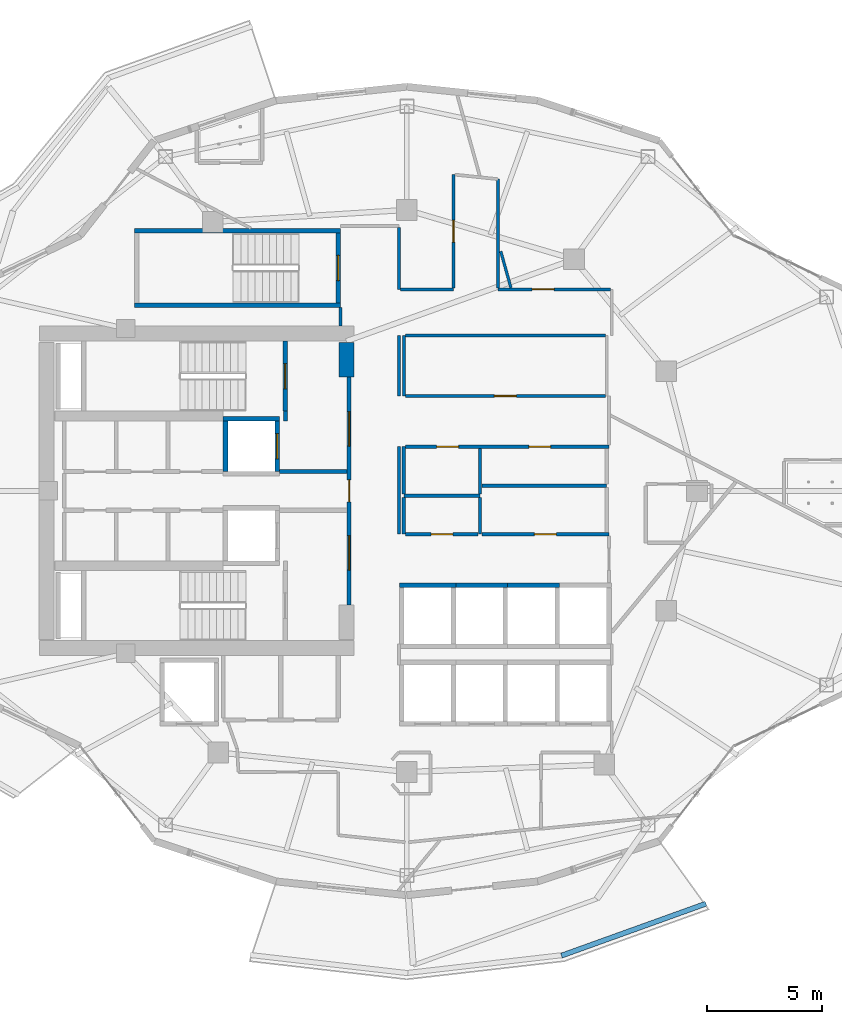
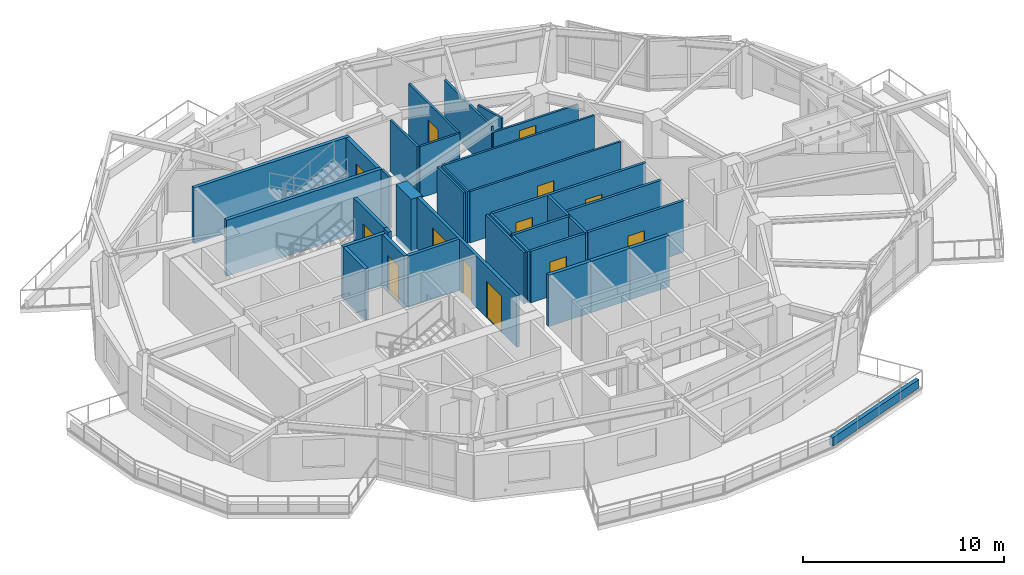
# One storey, part 10 of 19: 36 walls, 13 doors, 13 openings.
"""IFC4 building model written with IfcOpenShell, lengths in metres."""

from ifc_helpers import new_model, si_unit, direction, frame, frame_2d, origin, place, context, subcontext, project, spatial, rectangle, extrude, material, layer, layer_set, type_object, element, fill, save


model = new_model("IFC4")

# Units and contexts
model_context = context("Model", 3, precision=1e-05, world=origin(), true_north=direction((0.0, 1.0)))
body_context = subcontext(model_context, "Body", "Model", "MODEL_VIEW")
ifc_project = project(units=[si_unit("LENGTHUNIT", "METRE"), si_unit("AREAUNIT", "SQUARE_METRE"), si_unit("VOLUMEUNIT", "CUBIC_METRE"), si_unit("PLANEANGLEUNIT", "RADIAN"), si_unit("MASSUNIT", "GRAM", prefix="KILO")], contexts=[model_context])

# Site, building, storey
site_placement = place(None, origin())
site = spatial("IfcSite", under=ifc_project, at=site_placement, CompositionType="ELEMENT")
building_placement = place(site_placement, origin())
building = spatial("IfcBuilding", under=site, at=building_placement, Name="Kolvaren Gate Tower and Convention Centre", CompositionType="ELEMENT")
storey_placement = place(building_placement, frame((0.0, 0.0, 169.89990234375)))
storey = spatial("IfcBuildingStorey", under=building, at=storey_placement, Name="L44", CompositionType="ELEMENT", Elevation=169.89990234375)

# Wall
ifc_material_1 = material(Name="Autoclaved Aerated Masonry Blockwork Class 4 (4.0 MPa)", Category="masonry")
ifc_layer_1 = layer(ifc_material_1, 0.179931640625)
ifc_layer_set_1 = layer_set([ifc_layer_1], Name="Autoclaved Aerated Masonry Blockwork Class 4 (4.0 MPa)")
wall_type_1 = type_object("IfcWallType", Name="ARCH-WL-COMP-180", PredefinedType="SOLIDWALL", material=ifc_layer_set_1)
wall_1_placement = place(storey_placement, frame((24.85009765625, 30.0400390625, 0.0), z_axis=(0.0, 0.0, 1.0), x_axis=(0.0, 1.0, 0.0)))
element("IfcWall", 1, at=wall_1_placement, inside=storey, type_object=wall_type_1, Name="Interior Partition WL-L44-INT-002", PredefinedType="SOLIDWALL", context=body_context, shape_type="SweptSolid", body=[
    extrude(rectangle(XDim=0.419921875, YDim=0.179931640625, at=frame_2d((0.2099609375, 0.0))), origin(), (0.0, 0.0, 1.0), 3.130126953125),
])

# Wall, openings, doors
wall_2_placement = place(storey_placement, frame((27.6201171875, 22.050048828125, 0.0), z_axis=(0.0, 0.0, 1.0), x_axis=(0.0, 1.0, 0.0)))
wall_2 = element("IfcWall", 2, at=wall_2_placement, inside=storey, type_object=wall_type_1, Name="Interior Partition WL-L44-INT-003", PredefinedType="SOLIDWALL", context=body_context, shape_type="SweptSolid", body=[
    extrude(rectangle(XDim=9.89990234375, YDim=0.179931640625, at=frame_2d((4.949951171875, 0.0))), origin(), (0.0, 0.0, 1.0), 3.130126953125),
])
opening_1_placement = place(wall_2_placement, frame((4.47509765625, 0.0, 0.0)))
opening_1 = element("IfcOpeningElement", 3, at=opening_1_placement, cuts=wall_2, Name="Opening DR-01", PredefinedType="OPENING", context=body_context, shape_type="SweptSolid", body=[
    extrude(rectangle(XDim=0.949951171875, YDim=2.10009765625, at=frame_2d((0.47509765625, 1.050048828125))), frame((0.0, 0.099853515625, 0.0), z_axis=(0.0, -1.0, 0.0), x_axis=(1.0, 0.0, 0.0)), (0.0, 0.0, 1.0), 0.199951171875),
])
opening_2_placement = place(wall_2_placement, frame((6.889892578125, 0.0, 0.0)))
opening_2 = element("IfcOpeningElement", 4, at=opening_2_placement, cuts=wall_2, Name="Opening DL-01", PredefinedType="OPENING", context=body_context, shape_type="SweptSolid", body=[
    extrude(rectangle(XDim=1.5, YDim=2.199951171875, at=frame_2d((0.75, 1.10009765625))), frame((0.0, 0.099853515625, 0.0), z_axis=(0.0, -1.0, 0.0), x_axis=(1.0, 0.0, 0.0)), (0.0, 0.0, 1.0), 0.199951171875),
])
opening_3_placement = place(wall_2_placement, frame((1.510009765625, 0.0, 0.0)))
opening_3 = element("IfcOpeningElement", 5, at=opening_3_placement, cuts=wall_2, Name="Opening DL-01", PredefinedType="OPENING", context=body_context, shape_type="SweptSolid", body=[
    extrude(rectangle(XDim=1.5, YDim=2.199951171875, at=frame_2d((0.75, 1.10009765625))), frame((0.0, 0.099853515625, 0.0), z_axis=(0.0, -1.0, 0.0), x_axis=(1.0, 0.0, 0.0)), (0.0, 0.0, 1.0), 0.199951171875),
])
ifc_material_2 = material(Name="Painted Architectural Steelwork ASTM A500 Grade C 345 MPa", Category="steel")
door_type_1 = type_object("IfcDoorType", Name="ARCH-DR-LOBBY-1500", OperationType="DOUBLE_DOOR_SINGLE_SWING", PredefinedType="DOOR", material=ifc_material_2)
door_1_placement = place(opening_2_placement, origin())
door_1 = element("IfcDoor", 6, at=door_1_placement, inside=storey, type_object=door_type_1, Name="North Firefighting Stair and Lift Lobby Door", OperationType="DOUBLE_DOOR_SINGLE_SWING", OverallHeight=2.199951171875, OverallWidth=1.5, PredefinedType="DOOR", context=body_context, shape_type="SweptSolid", body=[
    extrude(rectangle(XDim=1.5, YDim=2.199951171875, at=frame_2d((0.75, 1.10009765625))), frame((0.0, 0.02490234375, 0.0), z_axis=(0.0, -1.0, 0.0), x_axis=(1.0, 0.0, 0.0)), (0.0, 0.0, 1.0), 0.050048828125),
])
fill(opening_2, door_1)
door_2_placement = place(opening_3_placement, origin())
door_2 = element("IfcDoor", 7, at=door_2_placement, inside=storey, type_object=door_type_1, Name="South Firefighting Stair and Lift Lobby Door", OperationType="DOUBLE_DOOR_SINGLE_SWING", OverallHeight=2.199951171875, OverallWidth=1.5, PredefinedType="DOOR", context=body_context, shape_type="SweptSolid", body=[
    extrude(rectangle(XDim=1.5, YDim=2.199951171875, at=frame_2d((0.75, 1.10009765625))), frame((0.0, 0.02490234375, 0.0), z_axis=(0.0, -1.0, 0.0), x_axis=(1.0, 0.0, 0.0)), (0.0, 0.0, 1.0), 0.050048828125),
])
fill(opening_3, door_2)
door_type_2 = type_object("IfcDoorType", Name="ARCH-DR-RISER-950", OperationType="SINGLE_SWING_RIGHT", PredefinedType="DOOR", material=ifc_material_2)
door_3_placement = place(opening_1_placement, origin())
door_3 = element("IfcDoor", 8, at=door_3_placement, inside=storey, type_object=door_type_2, Name="Central MEP Service Corridor Door", OperationType="SINGLE_SWING_LEFT", OverallHeight=2.10009765625, OverallWidth=0.949951171875, PredefinedType="DOOR", context=body_context, shape_type="SweptSolid", body=[
    extrude(rectangle(XDim=0.949951171875, YDim=2.10009765625, at=frame_2d((0.47509765625, 1.050048828125))), frame((0.0, 0.02490234375, 0.0), z_axis=(0.0, -1.0, 0.0), x_axis=(1.0, 0.0, 0.0)), (0.0, 0.0, 1.0), 0.050048828125),
])
fill(opening_1, door_3)

# Walls
wall_3_placement = place(storey_placement, frame((24.60009765625, 27.840087890625, 0.0), z_axis=(0.0, 0.0, 1.0), x_axis=(1.0, 0.0, 0.0)))
element("IfcWall", 9, at=wall_3_placement, inside=storey, type_object=wall_type_1, Name="Interior Partition WL-L44-INT-004 (2)", PredefinedType="SOLIDWALL", context=body_context, shape_type="SweptSolid", body=[
    extrude(rectangle(XDim=2.927978515625, YDim=0.179931640625, at=frame_2d((1.4638671875, 0.0))), origin(), (0.0, 0.0, 1.0), 3.130126953125),
])
ifc_material_3 = material(Name="Fire-Rated Acoustic Gypsum Stud Partition", Category="gypsum")
ifc_layer_2 = layer(ifc_material_3, 0.1201171875)
ifc_layer_set_2 = layer_set([ifc_layer_2], Name="Fire-Rated Acoustic Gypsum Stud Partition")
wall_type_2 = type_object("IfcWallType", Name="ARCH-WL-PART-120", PredefinedType="PARTITIONING", material=ifc_layer_set_2)
wall_4_placement = place(storey_placement, frame((30.0, 31.1201171875, 0.0), z_axis=(0.0, 0.0, 1.0), x_axis=(0.0, 1.0, 0.0)))
element("IfcWall", 10, at=wall_4_placement, inside=storey, type_object=wall_type_2, Name="Interior Partition WL-L44-INT-018", PredefinedType="PARTITIONING", context=body_context, shape_type="SweptSolid", body=[
    extrude(rectangle(XDim=2.6298828125, YDim=0.1201171875, at=frame_2d((1.31494140625, 0.0))), origin(), (0.0, 0.0, 1.0), 3.130126953125),
])

# Wall, opening, door
wall_5_placement = place(storey_placement, frame((30.06201171875, 31.1201171875, 0.0), z_axis=(0.0, 0.0, 1.0), x_axis=(1.0, 0.0, 0.0)))
wall_5 = element("IfcWall", 11, at=wall_5_placement, inside=storey, type_object=wall_type_2, Name="Interior Partition WL-L44-INT-025", PredefinedType="PARTITIONING", context=body_context, shape_type="SweptSolid", body=[
    extrude(rectangle(XDim=8.676025390625, YDim=0.1201171875, at=frame_2d((4.337890625, 0.0))), origin(), (0.0, 0.0, 1.0), 3.130126953125),
])
opening_4_placement = place(wall_5_placement, frame((3.863037109375, 0.0, 0.0)))
opening_4 = element("IfcOpeningElement", 12, at=opening_4_placement, cuts=wall_5, Name="Opening DR-01", PredefinedType="OPENING", context=body_context, shape_type="SweptSolid", body=[
    extrude(rectangle(XDim=0.949951171875, YDim=2.10009765625, at=frame_2d((0.47509765625, 1.050048828125))), frame((0.0, 0.070068359375, 0.0), z_axis=(0.0, -1.0, 0.0), x_axis=(1.0, 0.0, 0.0)), (0.0, 0.0, 1.0), 0.14013671875),
])
door_4_placement = place(opening_4_placement, origin())
door_4 = element("IfcDoor", 13, at=door_4_placement, inside=storey, type_object=door_type_2, Name="Botanical Reading Clubroom Door", OperationType="SINGLE_SWING_RIGHT", OverallHeight=2.10009765625, OverallWidth=0.949951171875, PredefinedType="DOOR", context=body_context, shape_type="SweptSolid", body=[
    extrude(rectangle(XDim=0.949951171875, YDim=2.10009765625, at=frame_2d((0.47509765625, 1.050048828125))), frame((0.0, 0.02490234375, 0.0), z_axis=(0.0, -1.0, 0.0), x_axis=(1.0, 0.0, 0.0)), (0.0, 0.0, 1.0), 0.050048828125),
])
fill(opening_4, door_4)

# Walls
wall_6_placement = place(storey_placement, frame((30.06201171875, 33.75, 0.0), z_axis=(0.0, 0.0, 1.0), x_axis=(1.0, 0.0, 0.0)))
element("IfcWall", 14, at=wall_6_placement, inside=storey, type_object=wall_type_2, Name="Interior Partition WL-L44-INT-026", PredefinedType="PARTITIONING", context=body_context, shape_type="SweptSolid", body=[
    extrude(rectangle(XDim=8.676025390625, YDim=0.1201171875, at=frame_2d((4.337890625, 0.0))), origin(), (0.0, 0.0, 1.0), 3.130126953125),
])
wall_7_placement = place(storey_placement, frame((27.25, 34.152099609375, 0.0), z_axis=(0.0, 0.0, 1.0), x_axis=(0.0, 1.0, 0.0)))
element("IfcWall", 15, at=wall_7_placement, inside=storey, type_object=wall_type_2, Name="Interior Partition WL-L44-INT-037", PredefinedType="PARTITIONING", context=body_context, shape_type="SweptSolid", body=[
    extrude(rectangle(XDim=0.805908203125, YDim=0.1201171875, at=frame_2d((0.40283203125, 0.0))), origin(), (0.0, 0.0, 1.0), 3.130126953125),
])
wall_8_placement = place(storey_placement, frame((29.780029296875, 25.1201171875, 0.0), z_axis=(0.0, 0.0, 1.0), x_axis=(0.0, 1.0, 0.0)))
element("IfcWall", 16, at=wall_8_placement, inside=storey, type_object=wall_type_2, Name="Interior Partition WL-L44-INT-040", PredefinedType="PARTITIONING", context=body_context, shape_type="SweptSolid", body=[
    extrude(rectangle(XDim=3.7998046875, YDim=0.1201171875, at=frame_2d((1.89990234375, 0.0))), origin(), (0.0, 0.0, 1.0), 3.130126953125),
])
wall_9_placement = place(storey_placement, frame((29.780029296875, 31.1201171875, 0.0), z_axis=(0.0, 0.0, 1.0), x_axis=(0.0, 1.0, 0.0)))
element("IfcWall", 17, at=wall_9_placement, inside=storey, type_object=wall_type_2, Name="Interior Partition WL-L44-INT-041", PredefinedType="PARTITIONING", context=body_context, shape_type="SweptSolid", body=[
    extrude(rectangle(XDim=2.6298828125, YDim=0.1201171875, at=frame_2d((1.31494140625, 0.0))), origin(), (0.0, 0.0, 1.0), 3.130126953125),
])
wall_10_placement = place(storey_placement, frame((29.780029296875, 35.75, 0.0), z_axis=(0.0, 0.0, 1.0), x_axis=(0.0, 1.0, 0.0)))
element("IfcWall", 18, at=wall_10_placement, inside=storey, type_object=wall_type_2, Name="Interior Partition WL-L44-INT-042", PredefinedType="PARTITIONING", context=body_context, shape_type="SweptSolid", body=[
    extrude(rectangle(XDim=2.68798828125, YDim=0.1201171875, at=frame_2d((1.343994140625, 0.0))), origin(), (0.0, 0.0, 1.0), 3.130126953125),
])
wall_11_placement = place(storey_placement, frame((29.842041015625, 35.75, 0.0), z_axis=(0.0, 0.0, 1.0), x_axis=(1.0, 0.0, 0.0)))
element("IfcWall", 19, at=wall_11_placement, inside=storey, type_object=wall_type_2, Name="Interior Partition WL-L44-INT-043", PredefinedType="PARTITIONING", context=body_context, shape_type="SweptSolid", body=[
    extrude(rectangle(XDim=2.307861328125, YDim=0.1201171875, at=frame_2d((1.15380859375, 0.0))), origin(), (0.0, 0.0, 1.0), 3.130126953125),
])

# Wall, opening, door
wall_12_placement = place(storey_placement, frame((34.080078125, 35.75, 0.0), z_axis=(0.0, 0.0, 1.0), x_axis=(1.0, 0.0, 0.0)))
wall_12 = element("IfcWall", 20, at=wall_12_placement, inside=storey, type_object=wall_type_2, Name="Interior Partition WL-L44-INT-044", PredefinedType="PARTITIONING", context=body_context, shape_type="SweptSolid", body=[
    extrude(rectangle(XDim=4.8779296875, YDim=0.1201171875, at=frame_2d((2.43896484375, 0.0))), origin(), (0.0, 0.0, 1.0), 2.505126953125),
])
opening_5_placement = place(wall_12_placement, frame((1.4853515625, 0.0, 0.0)))
opening_5 = element("IfcOpeningElement", 21, at=opening_5_placement, cuts=wall_12, Name="Opening DR-01", PredefinedType="OPENING", context=body_context, shape_type="SweptSolid", body=[
    extrude(rectangle(XDim=0.949951171875, YDim=2.10009765625, at=frame_2d((0.47509765625, 1.050048828125))), frame((0.0, 0.070068359375, 0.0), z_axis=(0.0, -1.0, 0.0), x_axis=(1.0, 0.0, 0.0)), (0.0, 0.0, 1.0), 0.14013671875),
])
door_5_placement = place(opening_5_placement, origin())
door_5 = element("IfcDoor", 22, at=door_5_placement, inside=storey, type_object=door_type_2, Name="Deluxe Hotel Suite (HTL-L44-05) Door", OperationType="SINGLE_SWING_LEFT", OverallHeight=2.10009765625, OverallWidth=0.949951171875, PredefinedType="DOOR", context=body_context, shape_type="SweptSolid", body=[
    extrude(rectangle(XDim=0.949951171875, YDim=2.10009765625, at=frame_2d((0.47509765625, 1.050048828125))), frame((0.0, 0.02490234375, 0.0), z_axis=(0.0, -1.0, 0.0), x_axis=(1.0, 0.0, 0.0)), (0.0, 0.0, 1.0), 0.050048828125),
])
fill(opening_5, door_5)

wall_13_placement = place(storey_placement, frame((32.14990234375, 35.81201171875, 0.0), z_axis=(0.0, 0.0, 1.0), x_axis=(0.0, 1.0, 0.0)))
wall_13 = element("IfcWall", 23, at=wall_13_placement, inside=storey, type_object=wall_type_2, Name="Interior Partition WL-L44-INT-045", PredefinedType="PARTITIONING", context=body_context, shape_type="SweptSolid", body=[
    extrude(rectangle(XDim=4.925048828125, YDim=0.1201171875, at=frame_2d((2.46240234375, 0.0))), origin(), (0.0, 0.0, 1.0), 3.130126953125),
])
opening_6_placement = place(wall_13_placement, frame((1.987548828125, 0.0, 0.0)))
opening_6 = element("IfcOpeningElement", 24, at=opening_6_placement, cuts=wall_13, Name="Opening DR-01", PredefinedType="OPENING", context=body_context, shape_type="SweptSolid", body=[
    extrude(rectangle(XDim=0.949951171875, YDim=2.10009765625, at=frame_2d((0.47509765625, 1.050048828125))), frame((0.0, 0.070068359375, 0.0), z_axis=(0.0, -1.0, 0.0), x_axis=(1.0, 0.0, 0.0)), (0.0, 0.0, 1.0), 0.14013671875),
])
door_6_placement = place(opening_6_placement, origin())
door_6 = element("IfcDoor", 25, at=door_6_placement, inside=storey, type_object=door_type_2, Name="Deluxe Hotel Suite (HTL-L44-06) Door", OperationType="SINGLE_SWING_RIGHT", OverallHeight=2.10009765625, OverallWidth=0.949951171875, PredefinedType="DOOR", context=body_context, shape_type="SweptSolid", body=[
    extrude(rectangle(XDim=0.949951171875, YDim=2.10009765625, at=frame_2d((0.47509765625, 1.050048828125))), frame((0.0, 0.02490234375, 0.0), z_axis=(0.0, -1.0, 0.0), x_axis=(1.0, 0.0, 0.0)), (0.0, 0.0, 1.0), 0.050048828125),
])
fill(opening_6, door_6)

# Walls
wall_14_placement = place(storey_placement, frame((34.080078125, 35.81201171875, 0.0), z_axis=(0.0, 0.0, 1.0), x_axis=(0.0, 1.0, 0.0)))
element("IfcWall", 26, at=wall_14_placement, inside=storey, type_object=wall_type_2, Name="Interior Partition WL-L44-INT-047", PredefinedType="PARTITIONING", context=body_context, shape_type="SweptSolid", body=[
    extrude(rectangle(XDim=4.721923828125, YDim=0.1201171875, at=frame_2d((2.36083984375, 0.0))), origin(), (0.0, 0.0, 1.0), 2.81201171875),
])
wall_15_placement = place(storey_placement, frame((34.201904296875, 37.401123046875, 0.0), z_axis=(0.0, 0.0, 1.0), x_axis=(0.268460489063, -0.963290696422, 0.0)))
element("IfcWall", 27, at=wall_15_placement, inside=storey, type_object=wall_type_2, Name="Interior Partition WL-L44-INT-071", PredefinedType="PARTITIONING", context=body_context, shape_type="SweptSolid", body=[
    extrude(rectangle(XDim=1.649658203125, YDim=0.1201171875, at=frame_2d((0.82470703125, 0.0))), origin(), (0.0, 0.0, 1.0), 3.130126953125),
])
ifc_material_4 = material(Name="Piedmont Cream Honed Limestone Cladding", Category="masonry")
ifc_layer_3 = layer(ifc_material_4, 0.219970703125)
ifc_layer_set_3 = layer_set([ifc_layer_3], Name="Piedmont Cream Honed Limestone Cladding")
wall_type_3 = type_object("IfcWallType", Name="ARCH-WL-PLANTER-220", PredefinedType="PARAPET", material=ifc_layer_set_3)
wall_16_placement = place(storey_placement, frame((36.836669921875, 6.826171875, 0.0), z_axis=(0.0, 0.0, 1.0), x_axis=(0.940948576924, 0.338549517184, 0.0)))
element("IfcWall", 28, at=wall_16_placement, inside=storey, type_object=wall_type_3, Name="Vertical-Forest Balcony Stone Planter Kerb PK-L44-3.3", PredefinedType="PARAPET", context=body_context, shape_type="SweptSolid", body=[
    extrude(rectangle(XDim=6.6640625, YDim=0.219970703125, at=frame_2d((3.33203125, 0.0))), origin(), (0.0, 0.0, 1.0), 0.52001953125),
])
ifc_layer_4 = layer(ifc_material_1, 0.199951171875)
ifc_layer_set_4 = layer_set([ifc_layer_4], Name="Autoclaved Aerated Masonry Blockwork Class 4 (4.0 MPa)")
wall_type_4 = type_object("IfcWallType", Name="ARCH-WL-SHAFT-200", PredefinedType="SOLIDWALL", material=ifc_layer_set_4)
wall_17_placement = place(storey_placement, frame((22.14990234375, 30.139892578125, 0.0), z_axis=(0.0, 0.0, 1.0), x_axis=(1.0, 0.0, 0.0)))
element("IfcWall", 29, at=wall_17_placement, inside=storey, type_object=wall_type_4, Name="Elevator FF-01 L44 Fire Shaft Wall N", PredefinedType="SOLIDWALL", context=body_context, shape_type="SweptSolid", body=[
    extrude(rectangle(XDim=2.4501953125, YDim=0.199951171875, at=frame_2d((1.22509765625, 0.0))), origin(), (0.0, 0.0, 1.0), 3.130126953125),
])
wall_18_placement = place(storey_placement, frame((22.25, 27.85009765625, 0.0), z_axis=(0.0, 0.0, 1.0), x_axis=(0.0, 1.0, 0.0)))
element("IfcWall", 30, at=wall_18_placement, inside=storey, type_object=wall_type_4, Name="Elevator FF-01 L44 Fire Shaft Wall W", PredefinedType="SOLIDWALL", context=body_context, shape_type="SweptSolid", body=[
    extrude(rectangle(XDim=2.179931640625, YDim=0.199951171875, at=frame_2d((1.08984375, 0.0))), origin(), (0.0, 0.0, 1.0), 3.130126953125),
])

# Wall, opening, door
wall_19_placement = place(storey_placement, frame((24.5, 27.85009765625, 0.0), z_axis=(0.0, 0.0, 1.0), x_axis=(0.0, 1.0, 0.0)))
wall_19 = element("IfcWall", 31, at=wall_19_placement, inside=storey, type_object=wall_type_4, Name="Elevator FF-01 L44 Fire Shaft Wall E", PredefinedType="SOLIDWALL", context=body_context, shape_type="SweptSolid", body=[
    extrude(rectangle(XDim=2.179931640625, YDim=0.199951171875, at=frame_2d((1.08984375, 0.0))), origin(), (0.0, 0.0, 1.0), 3.130126953125),
])
opening_7_placement = place(wall_19_placement, frame((0.5400390625, 0.0, 0.0)))
opening_7 = element("IfcOpeningElement", 32, at=opening_7_placement, cuts=wall_19, Name="Opening LD", PredefinedType="OPENING", context=body_context, shape_type="SweptSolid", body=[
    extrude(rectangle(XDim=1.10009765625, YDim=2.199951171875, at=frame_2d((0.550048828125, 1.10009765625))), frame((0.0, 0.10986328125, 0.0), z_axis=(0.0, -1.0, 0.0), x_axis=(1.0, 0.0, 0.0)), (0.0, 0.0, 1.0), 0.219970703125),
])
ifc_material_5 = material(Name="Brushed Stainless Steel Grade 316L", Category="steel")
door_type_3 = type_object("IfcDoorType", Name="ARCH-DR-LIFT-1100", OperationType="SLIDING_TO_LEFT", PredefinedType="DOOR", material=ifc_material_5)
door_7_placement = place(opening_7_placement, origin())
door_7 = element("IfcDoor", 33, at=door_7_placement, inside=storey, type_object=door_type_3, Name="Elevator FF-01 L44 Sliding Landing Door", OperationType="SLIDING_TO_LEFT", OverallHeight=2.199951171875, OverallWidth=1.10009765625, PredefinedType="DOOR", context=body_context, shape_type="SweptSolid", body=[
    extrude(rectangle(XDim=1.10009765625, YDim=2.199951171875, at=frame_2d((0.550048828125, 1.10009765625))), frame((0.0, 0.02490234375, 0.0), z_axis=(0.0, -1.0, 0.0), x_axis=(1.0, 0.0, 0.0)), (0.0, 0.0, 1.0), 0.050048828125),
])
fill(opening_7, door_7)

# Walls
wall_20_placement = place(storey_placement, frame((29.800048828125, 22.89990234375, 0.0), z_axis=(0.0, 0.0, 1.0), x_axis=(1.0, 0.0, 0.0)))
element("IfcWall", 34, at=wall_20_placement, inside=storey, type_object=wall_type_4, Name="Elevator PL-09 L44 Fire Shaft Wall N", PredefinedType="SOLIDWALL", context=body_context, shape_type="SweptSolid", body=[
    extrude(rectangle(XDim=2.449951171875, YDim=0.199951171875, at=frame_2d((1.22509765625, 0.0))), origin(), (0.0, 0.0, 1.0), 3.130126953125),
])
for number, where, z_axis, x_axis, name in (
    (35, (32.25, 22.89990234375, 0.0), (0.0, 0.0, 1.0), (1.0, 0.0, 0.0), "Elevator PL-10 L44 Fire Shaft Wall N"),
    (36, (34.5, 22.89990234375, 0.0), (0.0, 0.0, 1.0), (1.0, 0.0, 0.0), "Elevator PL-11 L44 Fire Shaft Wall N"),
):
    element("IfcWall", number, at=place(storey_placement, frame(where, z_axis=z_axis, x_axis=x_axis)), inside=storey, type_object=wall_type_4, Name=name, PredefinedType="SOLIDWALL", context=body_context, shape_type="SweptSolid", body=[
        extrude(rectangle(XDim=2.25, YDim=0.199951171875, at=frame_2d((1.125, 0.0))), origin(), (0.0, 0.0, 1.0), 3.130126953125),
    ])
ifc_material_6 = material(Name="Moisture-Resistant Cement-Board Acoustic Partition", Category="gypsum")
ifc_layer_5 = layer(ifc_material_6, 0.14990234375)
ifc_layer_set_5 = layer_set([ifc_layer_5], Name="Moisture-Resistant Cement-Board Acoustic Partition")
wall_type_5 = type_object("IfcWallType", Name="ARCH-WL-WET-150", PredefinedType="PARTITIONING", material=ifc_layer_set_5)
wall_21_placement = place(storey_placement, frame((30.0, 26.800048828125, 0.0), z_axis=(0.0, 0.0, 1.0), x_axis=(1.0, 0.0, 0.0)))
element("IfcWall", 37, at=wall_21_placement, inside=storey, type_object=wall_type_5, Name="Interior Partition WL-L44-INT-016", PredefinedType="PARTITIONING", context=body_context, shape_type="SweptSolid", body=[
    extrude(rectangle(XDim=3.300048828125, YDim=0.14990234375, at=frame_2d((1.64990234375, 0.0))), origin(), (0.0, 0.0, 1.0), 3.130126953125),
])
wall_22_placement = place(storey_placement, frame((30.0, 25.1201171875, 0.0), z_axis=(0.0, 0.0, 1.0), x_axis=(0.0, 1.0, 0.0)))
element("IfcWall", 38, at=wall_22_placement, inside=storey, type_object=wall_type_5, Name="Interior Partition WL-L44-INT-017", PredefinedType="PARTITIONING", context=body_context, shape_type="SweptSolid", body=[
    extrude(rectangle(XDim=1.602783203125, YDim=0.14990234375, at=frame_2d((0.80126953125, 0.0))), origin(), (0.0, 0.0, 1.0), 3.130126953125),
])
wall_23_placement = place(storey_placement, frame((30.0, 26.876953125, 0.0), z_axis=(0.0, 0.0, 1.0), x_axis=(0.0, 1.0, 0.0)))
element("IfcWall", 39, at=wall_23_placement, inside=storey, type_object=wall_type_5, Name="Interior Partition WL-L44-INT-017 (2)", PredefinedType="PARTITIONING", context=body_context, shape_type="SweptSolid", body=[
    extrude(rectangle(XDim=2.04296875, YDim=0.14990234375, at=frame_2d((1.021484375, 0.0))), origin(), (0.0, 0.0, 1.0), 3.130126953125),
])

# Wall, openings, doors
wall_24_placement = place(storey_placement, frame((30.076904296875, 28.919921875, 0.0), z_axis=(0.0, 0.0, 1.0), x_axis=(1.0, 0.0, 0.0)))
wall_24 = element("IfcWall", 40, at=wall_24_placement, inside=storey, type_object=wall_type_5, Name="Interior Partition WL-L44-INT-019", PredefinedType="PARTITIONING", context=body_context, shape_type="SweptSolid", body=[
    extrude(rectangle(XDim=8.822998046875, YDim=0.14990234375, at=frame_2d((4.41162109375, 0.0))), origin(), (0.0, 0.0, 1.0), 3.130126953125),
])
opening_8_placement = place(wall_24_placement, frame((1.341552734375, 0.0, 0.0)))
opening_8 = element("IfcOpeningElement", 41, at=opening_8_placement, cuts=wall_24, Name="Opening DR-01", PredefinedType="OPENING", context=body_context, shape_type="SweptSolid", body=[
    extrude(rectangle(XDim=0.949951171875, YDim=2.10009765625, at=frame_2d((0.47509765625, 1.050048828125))), frame((0.0, 0.0849609375, 0.0), z_axis=(0.0, -1.0, 0.0), x_axis=(1.0, 0.0, 0.0)), (0.0, 0.0, 1.0), 0.169921875),
])
opening_9_placement = place(wall_24_placement, frame((5.343017578125, 0.0, 0.0)))
opening_9 = element("IfcOpeningElement", 42, at=opening_9_placement, cuts=wall_24, Name="Opening DR-01", PredefinedType="OPENING", context=body_context, shape_type="SweptSolid", body=[
    extrude(rectangle(XDim=0.949951171875, YDim=2.10009765625, at=frame_2d((0.47509765625, 1.050048828125))), frame((0.0, 0.0849609375, 0.0), z_axis=(0.0, -1.0, 0.0), x_axis=(1.0, 0.0, 0.0)), (0.0, 0.0, 1.0), 0.169921875),
])
door_8_placement = place(opening_8_placement, origin())
door_8 = element("IfcDoor", 43, at=door_8_placement, inside=storey, type_object=door_type_2, Name="Accessible North Washroom Door", OperationType="SINGLE_SWING_RIGHT", OverallHeight=2.10009765625, OverallWidth=0.949951171875, PredefinedType="DOOR", context=body_context, shape_type="SweptSolid", body=[
    extrude(rectangle(XDim=0.949951171875, YDim=2.10009765625, at=frame_2d((0.47509765625, 1.050048828125))), frame((0.0, 0.02490234375, 0.0), z_axis=(0.0, -1.0, 0.0), x_axis=(1.0, 0.0, 0.0)), (0.0, 0.0, 1.0), 0.050048828125),
])
fill(opening_8, door_8)
door_9_placement = place(opening_9_placement, origin())
door_9 = element("IfcDoor", 44, at=door_9_placement, inside=storey, type_object=door_type_2, Name="Hotel Housekeeping and Linen Store Door", OperationType="SINGLE_SWING_RIGHT", OverallHeight=2.10009765625, OverallWidth=0.949951171875, PredefinedType="DOOR", context=body_context, shape_type="SweptSolid", body=[
    extrude(rectangle(XDim=0.949951171875, YDim=2.10009765625, at=frame_2d((0.47509765625, 1.050048828125))), frame((0.0, 0.02490234375, 0.0), z_axis=(0.0, -1.0, 0.0), x_axis=(1.0, 0.0, 0.0)), (0.0, 0.0, 1.0), 0.050048828125),
])
fill(opening_9, door_9)

# Walls
wall_25_placement = place(storey_placement, frame((33.300048828125, 25.1201171875, 0.0), z_axis=(0.0, 0.0, 1.0), x_axis=(0.0, 1.0, 0.0)))
element("IfcWall", 45, at=wall_25_placement, inside=storey, type_object=wall_type_5, Name="Interior Partition WL-L44-INT-020", PredefinedType="PARTITIONING", context=body_context, shape_type="SweptSolid", body=[
    extrude(rectangle(XDim=1.602783203125, YDim=0.14990234375, at=frame_2d((0.80126953125, 0.0))), origin(), (0.0, 0.0, 1.0), 3.130126953125),
])
wall_26_placement = place(storey_placement, frame((33.300048828125, 26.876953125, 0.0), z_axis=(0.0, 0.0, 1.0), x_axis=(0.0, 1.0, 0.0)))
element("IfcWall", 46, at=wall_26_placement, inside=storey, type_object=wall_type_5, Name="Interior Partition WL-L44-INT-020 (2)", PredefinedType="PARTITIONING", context=body_context, shape_type="SweptSolid", body=[
    extrude(rectangle(XDim=1.966064453125, YDim=0.14990234375, at=frame_2d((0.98291015625, 0.0))), origin(), (0.0, 0.0, 1.0), 3.130126953125),
])

# Wall, opening, door
wall_27_placement = place(storey_placement, frame((30.076904296875, 25.1201171875, 0.0), z_axis=(0.0, 0.0, 1.0), x_axis=(1.0, 0.0, 0.0)))
wall_27 = element("IfcWall", 47, at=wall_27_placement, inside=storey, type_object=wall_type_5, Name="Interior Partition WL-L44-INT-021", PredefinedType="PARTITIONING", context=body_context, shape_type="SweptSolid", body=[
    extrude(rectangle(XDim=3.14599609375, YDim=0.14990234375, at=frame_2d((1.572998046875, 0.0))), origin(), (0.0, 0.0, 1.0), 3.130126953125),
])
opening_10_placement = place(wall_27_placement, frame((1.097900390625, 0.0, 0.0)))
opening_10 = element("IfcOpeningElement", 48, at=opening_10_placement, cuts=wall_27, Name="Opening DR-01", PredefinedType="OPENING", context=body_context, shape_type="SweptSolid", body=[
    extrude(rectangle(XDim=0.949951171875, YDim=2.10009765625, at=frame_2d((0.47509765625, 1.050048828125))), frame((0.0, 0.0849609375, 0.0), z_axis=(0.0, -1.0, 0.0), x_axis=(1.0, 0.0, 0.0)), (0.0, 0.0, 1.0), 0.169921875),
])
door_10_placement = place(opening_10_placement, origin())
door_10 = element("IfcDoor", 49, at=door_10_placement, inside=storey, type_object=door_type_2, Name="South Visitor Washroom Door", OperationType="SINGLE_SWING_LEFT", OverallHeight=2.10009765625, OverallWidth=0.949951171875, PredefinedType="DOOR", context=body_context, shape_type="SweptSolid", body=[
    extrude(rectangle(XDim=0.949951171875, YDim=2.10009765625, at=frame_2d((0.47509765625, 1.050048828125))), frame((0.0, 0.02490234375, 0.0), z_axis=(0.0, -1.0, 0.0), x_axis=(1.0, 0.0, 0.0)), (0.0, 0.0, 1.0), 0.050048828125),
])
fill(opening_10, door_10)

wall_28_placement = place(storey_placement, frame((33.376953125, 25.1201171875, 0.0), z_axis=(0.0, 0.0, 1.0), x_axis=(1.0, 0.0, 0.0)))
wall_28 = element("IfcWall", 50, at=wall_28_placement, inside=storey, type_object=wall_type_5, Name="Interior Partition WL-L44-INT-021 (2)", PredefinedType="PARTITIONING", context=body_context, shape_type="SweptSolid", body=[
    extrude(rectangle(XDim=5.52294921875, YDim=0.14990234375, at=frame_2d((2.761474609375, 0.0))), origin(), (0.0, 0.0, 1.0), 3.130126953125),
])
opening_11_placement = place(wall_28_placement, frame((2.28662109375, 0.0, 0.0)))
opening_11 = element("IfcOpeningElement", 51, at=opening_11_placement, cuts=wall_28, Name="Opening DR-01", PredefinedType="OPENING", context=body_context, shape_type="SweptSolid", body=[
    extrude(rectangle(XDim=0.949951171875, YDim=2.10009765625, at=frame_2d((0.47509765625, 1.050048828125))), frame((0.0, 0.0849609375, 0.0), z_axis=(0.0, -1.0, 0.0), x_axis=(1.0, 0.0, 0.0)), (0.0, 0.0, 1.0), 0.169921875),
])
door_11_placement = place(opening_11_placement, origin())
door_11 = element("IfcDoor", 52, at=door_11_placement, inside=storey, type_object=door_type_2, Name="Floor Coffee Pantry Door", OperationType="SINGLE_SWING_LEFT", OverallHeight=2.10009765625, OverallWidth=0.949951171875, PredefinedType="DOOR", context=body_context, shape_type="SweptSolid", body=[
    extrude(rectangle(XDim=0.949951171875, YDim=2.10009765625, at=frame_2d((0.47509765625, 1.050048828125))), frame((0.0, 0.02490234375, 0.0), z_axis=(0.0, -1.0, 0.0), x_axis=(1.0, 0.0, 0.0)), (0.0, 0.0, 1.0), 0.050048828125),
])
fill(opening_11, door_11)

# Walls
wall_29_placement = place(storey_placement, frame((33.376953125, 27.219970703125, 0.0), z_axis=(0.0, 0.0, 1.0), x_axis=(1.0, 0.0, 0.0)))
element("IfcWall", 53, at=wall_29_placement, inside=storey, type_object=wall_type_5, Name="Interior Partition WL-L44-INT-022", PredefinedType="PARTITIONING", context=body_context, shape_type="SweptSolid", body=[
    extrude(rectangle(XDim=5.423095703125, YDim=0.14990234375, at=frame_2d((2.71142578125, 0.0))), origin(), (0.0, 0.0, 1.0), 3.130126953125),
])
ifc_material_7 = material(Name="Concrete C60/75", Category="concrete")
ifc_layer_6 = layer(ifc_material_7, 0.64990234375)
ifc_layer_set_6 = layer_set([ifc_layer_6], Name="Concrete C60/75")
wall_type_6 = type_object("IfcWallType", Name="STR-WL-CORE-650", PredefinedType="SHEAR", material=ifc_layer_set_6)
wall_30_placement = place(storey_placement, frame((27.5, 31.949951171875, -0.27001953125), z_axis=(0.0, 0.0, 1.0), x_axis=(0.0, 1.0, 0.0)))
element("IfcWall", 54, at=wall_30_placement, inside=storey, type_object=wall_type_6, Name="Tower L44 Offset Core Shear Wall EN", PredefinedType="SHEAR", context=body_context, shape_type="SweptSolid", body=[
    extrude(rectangle(XDim=1.5, YDim=0.64990234375, at=frame_2d((0.75, 0.0))), origin(), (0.0, 0.0, 1.0), 3.400146484375),
])

# Wall, opening, door
ifc_material_8 = material(Name="Concrete C50/60", Category="concrete")
ifc_layer_7 = layer(ifc_material_8, 0.199951171875)
ifc_layer_set_7 = layer_set([ifc_layer_7], Name="Concrete C50/60")
wall_type_7 = type_object("IfcWallType", Name="STR-WL-SHAFT-200", PredefinedType="SHEAR", material=ifc_layer_set_7)
wall_31_placement = place(storey_placement, frame((24.85009765625, 30.4599609375, -0.27001953125), z_axis=(0.0, 0.0, 1.0), x_axis=(0.0, 1.0, 0.0)))
wall_31 = element("IfcWall", 55, at=wall_31_placement, inside=storey, type_object=wall_type_7, Name="Tower North Exit Stair ST-T1 L44 Structural Shear Enclosure Wall NEAR", PredefinedType="SHEAR", context=body_context, shape_type="SweptSolid", body=[
    extrude(rectangle(XDim=3.0380859375, YDim=0.199951171875, at=frame_2d((1.51904296875, 0.0))), origin(), (0.0, 0.0, 1.0), 3.400146484375),
])
opening_12_placement = place(wall_31_placement, frame((0.968994140625, 0.0, 0.27001953125)))
opening_12 = element("IfcOpeningElement", 56, at=opening_12_placement, cuts=wall_31, Name="Opening DS-01", PredefinedType="OPENING", context=body_context, shape_type="SweptSolid", body=[
    extrude(rectangle(XDim=1.10009765625, YDim=2.14990234375, at=frame_2d((0.550048828125, 1.074951171875))), frame((0.0, 0.10986328125, 0.0), z_axis=(0.0, -1.0, 0.0), x_axis=(1.0, 0.0, 0.0)), (0.0, 0.0, 1.0), 0.219970703125),
])
door_type_4 = type_object("IfcDoorType", Name="ARCH-DR-STAIR-1100", OperationType="SINGLE_SWING_LEFT", PredefinedType="DOOR", material=ifc_material_2)
door_12_placement = place(opening_12_placement, origin())
door_12 = element("IfcDoor", 57, at=door_12_placement, inside=storey, type_object=door_type_4, Name="Tower North Exit Stair ST-T1 L44 Fire Exit Stair Door", OperationType="SINGLE_SWING_RIGHT", OverallHeight=2.14990234375, OverallWidth=1.10009765625, PredefinedType="DOOR", context=body_context, shape_type="SweptSolid", body=[
    extrude(rectangle(XDim=1.10009765625, YDim=2.14990234375, at=frame_2d((0.550048828125, 1.074951171875))), frame((0.0, 0.02490234375, 0.0), z_axis=(0.0, -1.0, 0.0), x_axis=(1.0, 0.0, 0.0)), (0.0, 0.0, 1.0), 0.050048828125),
])
fill(opening_12, door_12)

wall_32_placement = place(storey_placement, frame((27.14990234375, 35.159912109375, -0.27001953125), z_axis=(0.0, 0.0, 1.0), x_axis=(0.0, 1.0, 0.0)))
wall_32 = element("IfcWall", 58, at=wall_32_placement, inside=storey, type_object=wall_type_7, Name="Tower Mid-Zone Exit Stair ST-T3 L44 Structural Shear Enclosure Wall NEAR", PredefinedType="SHEAR", context=body_context, shape_type="SweptSolid", body=[
    extrude(rectangle(XDim=3.0400390625, YDim=0.199951171875, at=frame_2d((1.52001953125, 0.0))), origin(), (0.0, 0.0, 1.0), 3.400146484375),
])
opening_13_placement = place(wall_32_placement, frame((0.969970703125, 0.0, 0.27001953125)))
opening_13 = element("IfcOpeningElement", 59, at=opening_13_placement, cuts=wall_32, Name="Opening DS-01", PredefinedType="OPENING", context=body_context, shape_type="SweptSolid", body=[
    extrude(rectangle(XDim=1.10009765625, YDim=2.14990234375, at=frame_2d((0.550048828125, 1.074951171875))), frame((0.0, 0.10986328125, 0.0), z_axis=(0.0, -1.0, 0.0), x_axis=(1.0, 0.0, 0.0)), (0.0, 0.0, 1.0), 0.219970703125),
])
door_13_placement = place(opening_13_placement, origin())
door_13 = element("IfcDoor", 60, at=door_13_placement, inside=storey, type_object=door_type_4, Name="Tower Mid-Zone Exit Stair ST-T3 L44 Fire Exit Stair Door", OperationType="SINGLE_SWING_RIGHT", OverallHeight=2.14990234375, OverallWidth=1.10009765625, PredefinedType="DOOR", context=body_context, shape_type="SweptSolid", body=[
    extrude(rectangle(XDim=1.10009765625, YDim=2.14990234375, at=frame_2d((0.550048828125, 1.074951171875))), frame((0.0, 0.02490234375, 0.0), z_axis=(0.0, -1.0, 0.0), x_axis=(1.0, 0.0, 0.0)), (0.0, 0.0, 1.0), 0.050048828125),
])
fill(opening_13, door_13)

# Walls
for number, where, z_axis, x_axis, name in (
    (61, (18.300048828125, 38.300048828125, -0.27001953125), (0.0, 0.0, 1.0), (1.0, 0.0, 0.0), "Tower Mid-Zone Exit Stair ST-T3 L44 Structural Shear Enclosure Wall LEFT"),
    (62, (18.300048828125, 35.06005859375, -0.27001953125), (0.0, 0.0, 1.0), (1.0, 0.0, 0.0), "Tower Mid-Zone Exit Stair ST-T3 L44 Structural Shear Enclosure Wall RGHT"),
):
    element("IfcWall", number, at=place(storey_placement, frame(where, z_axis=z_axis, x_axis=x_axis)), inside=storey, type_object=wall_type_7, Name=name, PredefinedType="SHEAR", context=body_context, shape_type="SweptSolid", body=[
        extrude(rectangle(XDim=8.949951171875, YDim=0.199951171875, at=frame_2d((4.47509765625, 0.0))), origin(), (0.0, 0.0, 1.0), 3.400146484375),
    ])

save(model, "model.ifc")
